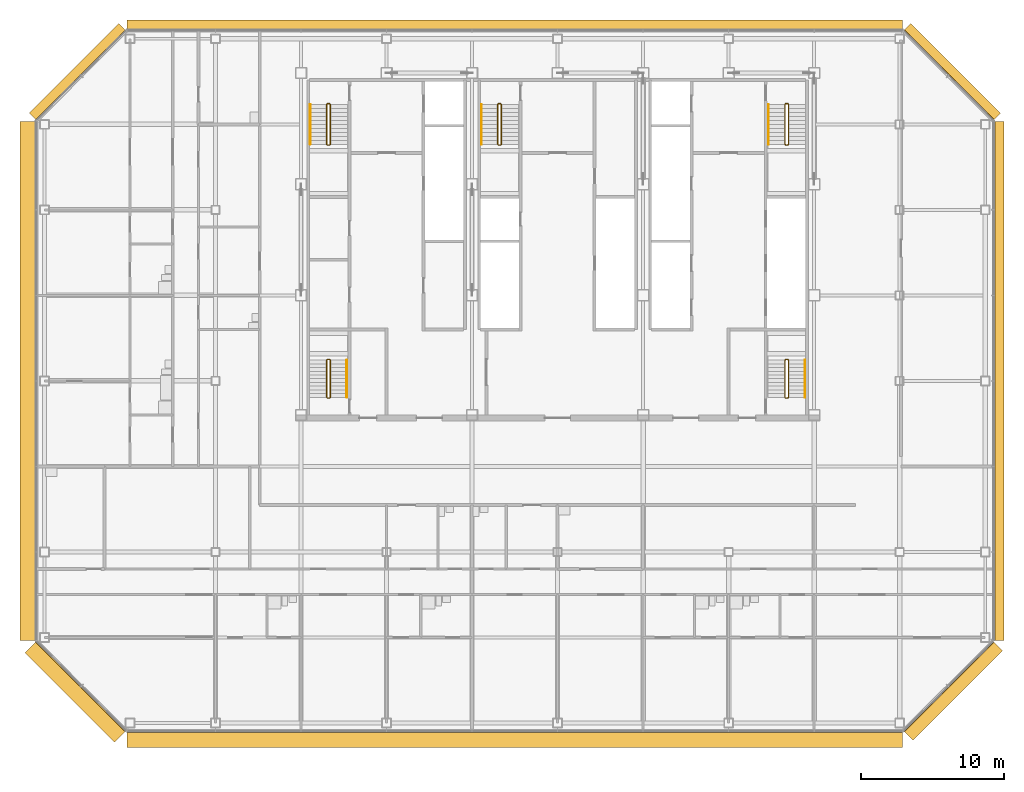
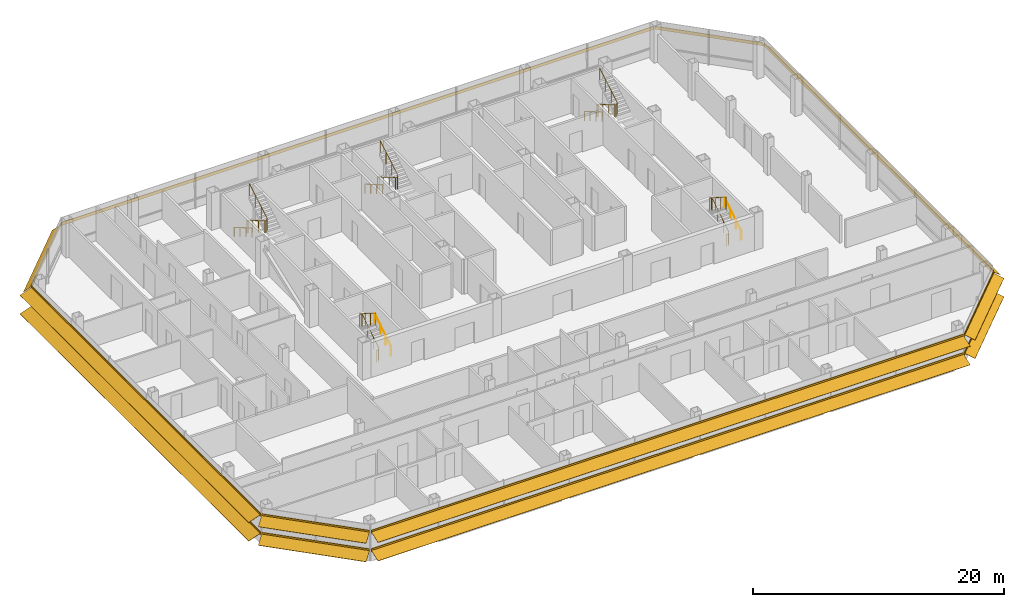
# One storey, part 26 of 27: 10 railings, 8 shading devices.
"""IFC4 building model written with IfcOpenShell, lengths in metres."""

from ifc_helpers import new_model, si_unit, direction, frame, origin, origin_2d, place, context, subcontext, project, spatial, polyline, circle, outline, composite_profile, extrude, material, type_object, element, save


model = new_model("IFC4")

# Units and contexts
model_context = context("Model", 3, precision=1e-05, world=origin(), true_north=direction((0.0, 1.0)))
body_context = subcontext(model_context, "Body", "Model", "MODEL_VIEW")
ifc_project = project(units=[si_unit("LENGTHUNIT", "METRE"), si_unit("AREAUNIT", "SQUARE_METRE"), si_unit("VOLUMEUNIT", "CUBIC_METRE"), si_unit("PLANEANGLEUNIT", "RADIAN"), si_unit("MASSUNIT", "GRAM", prefix="KILO")], contexts=[model_context])

# Site, building, storey
site_placement = place(None, origin())
site = spatial("IfcSite", under=ifc_project, at=site_placement, CompositionType="ELEMENT")
building_placement = place(site_placement, origin())
building = spatial("IfcBuilding", under=site, at=building_placement, Name="Sorahane Residences", CompositionType="ELEMENT")
storey_placement = place(building_placement, frame((0.0, 0.0, 206.39990234375)))
storey = spatial("IfcBuildingStorey", under=building, at=storey_placement, Name="L48", CompositionType="ELEMENT", Elevation=206.39990234375)

# Shading devices
ifc_material_1 = material(Name="Terracotta anodised aluminium", Category="masonry")
shading_device_type_1 = type_object("IfcShadingDeviceType", Name="Louvre sunshade blade E terracotta aluminium 700", PredefinedType="JALOUSIE", material=ifc_material_1)
shading_device_1_placement = place(storey_placement, frame((54.60009765625, 5.801513671875, 2.7001953125), z_axis=(0.0, 1.0, 0.0), x_axis=(-1.0, 0.0, 0.0)))
element("IfcShadingDevice", 1, at=shading_device_1_placement, inside=storey, type_object=shading_device_type_1, Name="Louvre sunshade blade bank E L48 E1", PredefinedType="JALOUSIE", context=body_context, shape_type="SweptSolid", body=[
    extrude(outline(polyline([(-0.719970703125, -0.49365234375), (-0.719970703125, -0.523681640625), (-0.080078125, -0.05859375), (-0.080078125, -0.14990234375), (-0.02001953125, -0.14990234375), (-0.02001953125, -0.014892578125), (-0.02001953125, 0.014892578125), (-0.02001953125, 0.14990234375), (-0.080078125, 0.14990234375), (-0.080078125, -0.028564453125), (-0.719970703125, -0.49365234375)])), origin(), (0.0, 0.0, 1.0), 36.39697265625),
])
ifc_material_2 = material(Name="Terracotta anodised aluminium", Category="masonry")
shading_device_type_2 = type_object("IfcShadingDeviceType", Name="Louvre sunshade blade N terracotta aluminium 700", PredefinedType="JALOUSIE", material=ifc_material_2)
shading_device_2_placement = place(storey_placement, frame((48.198486328125, 48.60009765625, 2.7001953125), z_axis=(-1.0, 0.0, 0.0), x_axis=(0.0, -1.0, 0.0)))
element("IfcShadingDevice", 2, at=shading_device_2_placement, inside=storey, type_object=shading_device_type_2, Name="Louvre sunshade blade bank N L48 N1", PredefinedType="JALOUSIE", context=body_context, shape_type="SweptSolid", body=[
    extrude(outline(polyline([(-0.719970703125, -0.660888671875), (-0.719970703125, -0.69091796875), (-0.080078125, -0.072998046875), (-0.080078125, -0.14990234375), (-0.02001953125, -0.14990234375), (-0.02001953125, -0.014892578125), (-0.02001953125, 0.014892578125), (-0.02001953125, 0.14990234375), (-0.080078125, 0.14990234375), (-0.080078125, -0.04296875), (-0.719970703125, -0.660888671875)])), origin(), (0.0, 0.0, 1.0), 54.39697265625),
])
ifc_material_3 = material(Name="Terracotta anodised aluminium", Category="masonry")
shading_device_type_3 = type_object("IfcShadingDeviceType", Name="Louvre sunshade blade NE terracotta aluminium 700", PredefinedType="JALOUSIE", material=ifc_material_3)
shading_device_3_placement = place(storey_placement, frame((54.564697265625, 42.283935546875, 2.7001953125), z_axis=(-0.707106781187, 0.707106781187, 0.0), x_axis=(-0.707106781187, -0.707106781187, 0.0)))
element("IfcShadingDevice", 3, at=shading_device_3_placement, inside=storey, type_object=shading_device_type_3, Name="Louvre sunshade blade bank NE L48 NE1", PredefinedType="JALOUSIE", context=body_context, shape_type="SweptSolid", body=[
    extrude(outline(polyline([(-0.719970703125, -0.572509765625), (-0.719970703125, -0.602294921875), (-0.080078125, -0.065185546875), (-0.080078125, -0.14990234375), (-0.02001953125, -0.14990234375), (-0.02001953125, -0.014892578125), (-0.02001953125, 0.014892578125), (-0.02001953125, 0.14990234375), (-0.080078125, 0.14990234375), (-0.080078125, -0.035400390625), (-0.719970703125, -0.572509765625)])), origin(), (0.0, 0.0, 1.0), 8.88232421875),
])
ifc_material_4 = material(Name="Terracotta anodised aluminium", Category="masonry")
shading_device_type_4 = type_object("IfcShadingDeviceType", Name="Louvre sunshade blade NW terracotta aluminium 700", PredefinedType="JALOUSIE", material=ifc_material_4)
shading_device_4_placement = place(storey_placement, frame((-6.283935546875, 48.564697265625, 2.7001953125), z_axis=(-0.707106781187, -0.707106781187, 0.0), x_axis=(0.707106781187, -0.707106781187, 0.0)))
element("IfcShadingDevice", 4, at=shading_device_4_placement, inside=storey, type_object=shading_device_type_4, Name="Louvre sunshade blade bank NW L48 NW1", PredefinedType="JALOUSIE", context=body_context, shape_type="SweptSolid", body=[
    extrude(outline(polyline([(-0.719970703125, -0.660888671875), (-0.719970703125, -0.69091796875), (-0.080078125, -0.072998046875), (-0.080078125, -0.14990234375), (-0.02001953125, -0.14990234375), (-0.02001953125, -0.014892578125), (-0.02001953125, 0.014892578125), (-0.02001953125, 0.14990234375), (-0.080078125, 0.14990234375), (-0.080078125, -0.04296875), (-0.719970703125, -0.660888671875)])), origin(), (0.0, 0.0, 1.0), 8.88232421875),
])
ifc_material_5 = material(Name="Terracotta anodised aluminium", Category="masonry")
shading_device_type_5 = type_object("IfcShadingDeviceType", Name="Louvre sunshade blade S terracotta aluminium 1100", PredefinedType="JALOUSIE", material=ifc_material_5)
shading_device_5_placement = place(storey_placement, frame((-6.198486328125, -0.60009765625, 0.900146484375), z_axis=(1.0, 0.0, 0.0), x_axis=(0.0, 1.0, 0.0)))
element("IfcShadingDevice", 5, at=shading_device_5_placement, inside=storey, type_object=shading_device_type_5, Name="Louvre sunshade blade bank S L48 S1", PredefinedType="JALOUSIE", context=body_context, shape_type="SweptSolid", body=[
    extrude(composite_profile([outline(polyline([(-1.1201171875, -0.385498046875), (-1.1201171875, -0.415283203125), (-0.080078125, -0.036865234375), (-0.080078125, -0.14990234375), (-0.02001953125, -0.14990234375), (-0.02001953125, -0.014892578125), (-0.02001953125, 0.014892578125), (-0.02001953125, 0.14990234375), (-0.080078125, 0.14990234375), (-0.080078125, -0.0068359375), (-1.1201171875, -0.385498046875)])), outline(polyline([(-1.1201171875, 1.41455078125), (-1.1201171875, 1.384521484375), (-0.080078125, 1.76318359375), (-0.080078125, 1.64990234375), (-0.02001953125, 1.64990234375), (-0.02001953125, 1.784912109375), (-0.02001953125, 1.81494140625), (-0.02001953125, 1.949951171875), (-0.080078125, 1.949951171875), (-0.080078125, 1.793212890625), (-1.1201171875, 1.41455078125)]))]), origin(), (0.0, 0.0, 1.0), 54.39697265625),
])
ifc_material_6 = material(Name="Terracotta anodised aluminium", Category="masonry")
shading_device_type_6 = type_object("IfcShadingDeviceType", Name="Louvre sunshade blade SE terracotta aluminium 900", PredefinedType="JALOUSIE", material=ifc_material_6)
shading_device_6_placement = place(storey_placement, frame((48.283935546875, -0.564697265625, 0.900146484375), z_axis=(0.707106781187, 0.707106781187, 0.0), x_axis=(-0.707106781187, 0.707106781187, 0.0)))
element("IfcShadingDevice", 6, at=shading_device_6_placement, inside=storey, type_object=shading_device_type_6, Name="Louvre sunshade blade bank SE L48 SE1", PredefinedType="JALOUSIE", context=body_context, shape_type="SweptSolid", body=[
    extrude(composite_profile([outline(polyline([(-0.919921875, -0.3486328125), (-0.919921875, -0.378662109375), (-0.080078125, -0.039306640625), (-0.080078125, -0.14990234375), (-0.02001953125, -0.14990234375), (-0.02001953125, -0.014892578125), (-0.02001953125, 0.014892578125), (-0.02001953125, 0.14990234375), (-0.080078125, 0.14990234375), (-0.080078125, -0.00927734375), (-0.919921875, -0.3486328125)])), outline(polyline([(-0.919921875, 1.451416015625), (-0.919921875, 1.42138671875), (-0.080078125, 1.7607421875), (-0.080078125, 1.64990234375), (-0.02001953125, 1.64990234375), (-0.02001953125, 1.784912109375), (-0.02001953125, 1.81494140625), (-0.02001953125, 1.949951171875), (-0.080078125, 1.949951171875), (-0.080078125, 1.790771484375), (-0.919921875, 1.451416015625)]))]), origin(), (0.0, 0.0, 1.0), 8.88232421875),
])
ifc_material_7 = material(Name="Terracotta anodised aluminium", Category="masonry")
shading_device_type_7 = type_object("IfcShadingDeviceType", Name="Louvre sunshade blade SW terracotta aluminium 1100", PredefinedType="JALOUSIE", material=ifc_material_7)
shading_device_7_placement = place(storey_placement, frame((-12.564697265625, 5.716064453125, 0.900146484375), z_axis=(0.707106781187, -0.707106781187, 0.0), x_axis=(0.707106781187, 0.707106781187, 0.0)))
element("IfcShadingDevice", 7, at=shading_device_7_placement, inside=storey, type_object=shading_device_type_7, Name="Louvre sunshade blade bank SW L48 SW1", PredefinedType="JALOUSIE", context=body_context, shape_type="SweptSolid", body=[
    extrude(composite_profile([outline(polyline([(-1.1201171875, -0.385498046875), (-1.1201171875, -0.415283203125), (-0.080078125, -0.036865234375), (-0.080078125, -0.14990234375), (-0.02001953125, -0.14990234375), (-0.02001953125, -0.014892578125), (-0.02001953125, 0.014892578125), (-0.02001953125, 0.14990234375), (-0.080078125, 0.14990234375), (-0.080078125, -0.0068359375), (-1.1201171875, -0.385498046875)])), outline(polyline([(-1.1201171875, 1.41455078125), (-1.1201171875, 1.384521484375), (-0.080078125, 1.76318359375), (-0.080078125, 1.64990234375), (-0.02001953125, 1.64990234375), (-0.02001953125, 1.784912109375), (-0.02001953125, 1.81494140625), (-0.02001953125, 1.949951171875), (-0.080078125, 1.949951171875), (-0.080078125, 1.793212890625), (-1.1201171875, 1.41455078125)]))]), origin(), (0.0, 0.0, 1.0), 8.88232421875),
])
ifc_material_8 = material(Name="Terracotta anodised aluminium", Category="masonry")
shading_device_type_8 = type_object("IfcShadingDeviceType", Name="Louvre sunshade blade W terracotta aluminium 1100", PredefinedType="JALOUSIE", material=ifc_material_8)
shading_device_8_placement = place(storey_placement, frame((-12.60009765625, 42.198486328125, 0.900146484375), z_axis=(0.0, -1.0, 0.0), x_axis=(1.0, 0.0, 0.0)))
element("IfcShadingDevice", 8, at=shading_device_8_placement, inside=storey, type_object=shading_device_type_8, Name="Louvre sunshade blade bank W L48 W1", PredefinedType="JALOUSIE", context=body_context, shape_type="SweptSolid", body=[
    extrude(composite_profile([outline(polyline([(-1.1201171875, -0.385498046875), (-1.1201171875, -0.415283203125), (-0.080078125, -0.036865234375), (-0.080078125, -0.14990234375), (-0.02001953125, -0.14990234375), (-0.02001953125, -0.014892578125), (-0.02001953125, 0.014892578125), (-0.02001953125, 0.14990234375), (-0.080078125, 0.14990234375), (-0.080078125, -0.0068359375), (-1.1201171875, -0.385498046875)])), outline(polyline([(-1.1201171875, 1.41455078125), (-1.1201171875, 1.384521484375), (-0.080078125, 1.76318359375), (-0.080078125, 1.64990234375), (-0.02001953125, 1.64990234375), (-0.02001953125, 1.784912109375), (-0.02001953125, 1.81494140625), (-0.02001953125, 1.949951171875), (-0.080078125, 1.949951171875), (-0.080078125, 1.793212890625), (-1.1201171875, 1.41455078125)]))]), origin(), (0.0, 0.0, 1.0), 36.39697265625),
])

# Railings
ifc_material_9 = material(Name="Steel Q355B", Category="steel")
railing_type_1 = type_object("IfcRailingType", Name="Stair guard 1200 Steel Q355B", PredefinedType="GUARDRAIL", material=ifc_material_9)
railing_1_placement = place(storey_placement, frame((8.0, 43.449951171875, 0.0)))
element("IfcRailing", 9, at=railing_1_placement, inside=storey, type_object=railing_type_1, Name="L48 S1 stair guard 1", PredefinedType="GUARDRAIL", context=body_context, shape_type="SweptSolid", body=[
    extrude(circle(Radius=0.02392578125, at=origin_2d()), frame((0.0, 0.0, 1.17578125), z_axis=(-1.0, 0.0, 0.0), x_axis=(0.0, -1.0, 0.0)), (0.0, 0.0, 1.0), 0.14990234375),
    extrude(circle(Radius=0.02392578125, at=origin_2d()), frame((-0.14990234375, 0.0, 1.17578125), z_axis=(-0.280456126637, -0.280456126637, 0.917980785237), x_axis=(0.707106781187, -0.707106781187, 0.0)), (0.0, 0.0, 1.0), 0.178466796875),
    extrude(circle(Radius=0.02392578125, at=origin_2d()), frame((-0.199951171875, -0.050048828125, 1.33984375), z_axis=(0.0, -0.863374499697, 0.504563646405), x_axis=(1.0, 0.0, 0.0)), (0.0, 0.0, 1.0), 3.242919921875),
    extrude(circle(Radius=0.02392578125, at=origin_2d()), frame((-0.199951171875, -2.849853515625, 2.97607421875), z_axis=(0.707106781187, -0.707106781187, 0.0), x_axis=(0.707106781187, 0.707106781187, 0.0)), (0.0, 0.0, 1.0), 0.07080078125),
    extrude(circle(Radius=0.02392578125, at=origin_2d()), frame((-0.14990234375, -2.89990234375, 2.97607421875), z_axis=(1.0, 0.0, 0.0), x_axis=(0.0, 1.0, 0.0)), (0.0, 0.0, 1.0), 0.14990234375),
    extrude(circle(Radius=0.02392578125, at=origin_2d()), frame((0.0, -2.89990234375, 2.97607421875), z_axis=(0.280808744504, 0.280808744504, 0.917765164963), x_axis=(-0.707106781187, 0.707106781187, 0.0)), (0.0, 0.0, 1.0), 0.17822265625),
    extrude(circle(Radius=0.02392578125, at=origin_2d()), frame((0.050048828125, -2.849853515625, 3.1396484375), z_axis=(0.0, 0.863341702679, 0.504619762213), x_axis=(-1.0, 0.0, 0.0)), (0.0, 0.0, 1.0), 3.242919921875),
    extrude(circle(Radius=0.02099609375, at=origin_2d()), origin(), (0.0, 0.0, 1.0), 1.15185546875),
    extrude(circle(Radius=0.02099609375, at=origin_2d()), frame((-0.14990234375, 0.0, 0.0)), (0.0, 0.0, 1.0), 1.15185546875),
    extrude(circle(Radius=0.02099609375, at=origin_2d()), frame((-0.199951171875, -0.050048828125, 0.163818359375)), (0.0, 0.0, 1.0), 1.15185546875),
    extrude(circle(Radius=0.02099609375, at=origin_2d()), frame((-0.199951171875, -0.9833984375, 0.709228515625)), (0.0, 0.0, 1.0), 1.15185546875),
    extrude(circle(Radius=0.02099609375, at=origin_2d()), frame((-0.199951171875, -1.91650390625, 1.254638671875)), (0.0, 0.0, 1.0), 1.15185546875),
    extrude(circle(Radius=0.02099609375, at=origin_2d()), frame((-0.199951171875, -2.849853515625, 1.800048828125)), (0.0, 0.0, 1.0), 1.15185546875),
    extrude(circle(Radius=0.02099609375, at=origin_2d()), frame((-0.14990234375, -2.89990234375, 1.800048828125)), (0.0, 0.0, 1.0), 1.15185546875),
    extrude(circle(Radius=0.02099609375, at=origin_2d()), frame((0.0, -2.89990234375, 1.800048828125)), (0.0, 0.0, 1.0), 1.15185546875),
    extrude(circle(Radius=0.02099609375, at=origin_2d()), frame((0.050048828125, -2.849853515625, 1.963623046875)), (0.0, 0.0, 1.0), 1.15185546875),
    extrude(circle(Radius=0.02099609375, at=origin_2d()), frame((0.050048828125, -1.91650390625, 2.509033203125)), (0.0, 0.0, 1.0), 1.15185546875),
    extrude(circle(Radius=0.02099609375, at=origin_2d()), frame((0.050048828125, -0.9833984375, 3.0546875)), (0.0, 0.0, 1.0), 1.15185546875),
    extrude(circle(Radius=0.02099609375, at=origin_2d()), frame((0.050048828125, -0.050048828125, 3.60009765625)), (0.0, 0.0, 1.0), 1.15185546875),
])
railing_2_placement = place(storey_placement, frame((40.14990234375, 43.449951171875, 0.0)))
element("IfcRailing", 10, at=railing_2_placement, inside=storey, type_object=railing_type_1, Name="L48 S2 stair guard 1", PredefinedType="GUARDRAIL", context=body_context, shape_type="SweptSolid", body=[
    extrude(circle(Radius=0.02392578125, at=origin_2d()), frame((0.0, 0.0, 1.17578125), z_axis=(-1.0, 0.0, 0.0), x_axis=(0.0, -1.0, 0.0)), (0.0, 0.0, 1.0), 0.14990234375),
    extrude(circle(Radius=0.02392578125, at=origin_2d()), frame((-0.14990234375, 0.0, 1.17578125), z_axis=(-0.280456126637, -0.280456126637, 0.917980785237), x_axis=(0.707106781187, -0.707106781187, 0.0)), (0.0, 0.0, 1.0), 0.178466796875),
    extrude(circle(Radius=0.02392578125, at=origin_2d()), frame((-0.199951171875, -0.050048828125, 1.33984375), z_axis=(0.0, -0.863374499697, 0.504563646405), x_axis=(1.0, 0.0, 0.0)), (0.0, 0.0, 1.0), 3.242919921875),
    extrude(circle(Radius=0.02392578125, at=origin_2d()), frame((-0.199951171875, -2.849853515625, 2.97607421875), z_axis=(0.707106781187, -0.707106781187, 0.0), x_axis=(0.707106781187, 0.707106781187, 0.0)), (0.0, 0.0, 1.0), 0.07080078125),
    extrude(circle(Radius=0.02392578125, at=origin_2d()), frame((-0.14990234375, -2.89990234375, 2.97607421875), z_axis=(1.0, 0.0, 0.0), x_axis=(0.0, 1.0, 0.0)), (0.0, 0.0, 1.0), 0.14990234375),
    extrude(circle(Radius=0.02392578125, at=origin_2d()), frame((0.0, -2.89990234375, 2.97607421875), z_axis=(0.280808744504, 0.280808744504, 0.917765164963), x_axis=(-0.707106781187, 0.707106781187, 0.0)), (0.0, 0.0, 1.0), 0.17822265625),
    extrude(circle(Radius=0.02392578125, at=origin_2d()), frame((0.050048828125, -2.849853515625, 3.1396484375), z_axis=(0.0, 0.863341702679, 0.504619762213), x_axis=(-1.0, 0.0, 0.0)), (0.0, 0.0, 1.0), 3.242919921875),
    extrude(circle(Radius=0.02099609375, at=origin_2d()), origin(), (0.0, 0.0, 1.0), 1.15185546875),
    extrude(circle(Radius=0.02099609375, at=origin_2d()), frame((-0.14990234375, 0.0, 0.0)), (0.0, 0.0, 1.0), 1.15185546875),
    extrude(circle(Radius=0.02099609375, at=origin_2d()), frame((-0.199951171875, -0.050048828125, 0.163818359375)), (0.0, 0.0, 1.0), 1.15185546875),
    extrude(circle(Radius=0.02099609375, at=origin_2d()), frame((-0.199951171875, -0.9833984375, 0.709228515625)), (0.0, 0.0, 1.0), 1.15185546875),
    extrude(circle(Radius=0.02099609375, at=origin_2d()), frame((-0.199951171875, -1.91650390625, 1.254638671875)), (0.0, 0.0, 1.0), 1.15185546875),
    extrude(circle(Radius=0.02099609375, at=origin_2d()), frame((-0.199951171875, -2.849853515625, 1.800048828125)), (0.0, 0.0, 1.0), 1.15185546875),
    extrude(circle(Radius=0.02099609375, at=origin_2d()), frame((-0.14990234375, -2.89990234375, 1.800048828125)), (0.0, 0.0, 1.0), 1.15185546875),
    extrude(circle(Radius=0.02099609375, at=origin_2d()), frame((0.0, -2.89990234375, 1.800048828125)), (0.0, 0.0, 1.0), 1.15185546875),
    extrude(circle(Radius=0.02099609375, at=origin_2d()), frame((0.050048828125, -2.849853515625, 1.963623046875)), (0.0, 0.0, 1.0), 1.15185546875),
    extrude(circle(Radius=0.02099609375, at=origin_2d()), frame((0.050048828125, -1.91650390625, 2.509033203125)), (0.0, 0.0, 1.0), 1.15185546875),
    extrude(circle(Radius=0.02099609375, at=origin_2d()), frame((0.050048828125, -0.9833984375, 3.0546875)), (0.0, 0.0, 1.0), 1.15185546875),
    extrude(circle(Radius=0.02099609375, at=origin_2d()), frame((0.050048828125, -0.050048828125, 3.60009765625)), (0.0, 0.0, 1.0), 1.15185546875),
])
railing_3_placement = place(storey_placement, frame((20.0, 43.449951171875, 0.0)))
element("IfcRailing", 11, at=railing_3_placement, inside=storey, type_object=railing_type_1, Name="L48 S3 stair guard 1", PredefinedType="GUARDRAIL", context=body_context, shape_type="SweptSolid", body=[
    extrude(circle(Radius=0.02392578125, at=origin_2d()), frame((0.0, 0.0, 1.17578125), z_axis=(-1.0, 0.0, 0.0), x_axis=(0.0, -1.0, 0.0)), (0.0, 0.0, 1.0), 0.14990234375),
    extrude(circle(Radius=0.02392578125, at=origin_2d()), frame((-0.14990234375, 0.0, 1.17578125), z_axis=(-0.280456126637, -0.280456126637, 0.917980785237), x_axis=(0.707106781187, -0.707106781187, 0.0)), (0.0, 0.0, 1.0), 0.178466796875),
    extrude(circle(Radius=0.02392578125, at=origin_2d()), frame((-0.199951171875, -0.050048828125, 1.33984375), z_axis=(0.0, -0.863374499697, 0.504563646405), x_axis=(1.0, 0.0, 0.0)), (0.0, 0.0, 1.0), 3.242919921875),
    extrude(circle(Radius=0.02392578125, at=origin_2d()), frame((-0.199951171875, -2.849853515625, 2.97607421875), z_axis=(0.707106781187, -0.707106781187, 0.0), x_axis=(0.707106781187, 0.707106781187, 0.0)), (0.0, 0.0, 1.0), 0.07080078125),
    extrude(circle(Radius=0.02392578125, at=origin_2d()), frame((-0.14990234375, -2.89990234375, 2.97607421875), z_axis=(1.0, 0.0, 0.0), x_axis=(0.0, 1.0, 0.0)), (0.0, 0.0, 1.0), 0.14990234375),
    extrude(circle(Radius=0.02392578125, at=origin_2d()), frame((0.0, -2.89990234375, 2.97607421875), z_axis=(0.280808744504, 0.280808744504, 0.917765164963), x_axis=(-0.707106781187, 0.707106781187, 0.0)), (0.0, 0.0, 1.0), 0.17822265625),
    extrude(circle(Radius=0.02392578125, at=origin_2d()), frame((0.050048828125, -2.849853515625, 3.1396484375), z_axis=(0.0, 0.863341702679, 0.504619762213), x_axis=(-1.0, 0.0, 0.0)), (0.0, 0.0, 1.0), 3.242919921875),
    extrude(circle(Radius=0.02099609375, at=origin_2d()), origin(), (0.0, 0.0, 1.0), 1.15185546875),
    extrude(circle(Radius=0.02099609375, at=origin_2d()), frame((-0.14990234375, 0.0, 0.0)), (0.0, 0.0, 1.0), 1.15185546875),
    extrude(circle(Radius=0.02099609375, at=origin_2d()), frame((-0.199951171875, -0.050048828125, 0.163818359375)), (0.0, 0.0, 1.0), 1.15185546875),
    extrude(circle(Radius=0.02099609375, at=origin_2d()), frame((-0.199951171875, -0.9833984375, 0.709228515625)), (0.0, 0.0, 1.0), 1.15185546875),
    extrude(circle(Radius=0.02099609375, at=origin_2d()), frame((-0.199951171875, -1.91650390625, 1.254638671875)), (0.0, 0.0, 1.0), 1.15185546875),
    extrude(circle(Radius=0.02099609375, at=origin_2d()), frame((-0.199951171875, -2.849853515625, 1.800048828125)), (0.0, 0.0, 1.0), 1.15185546875),
    extrude(circle(Radius=0.02099609375, at=origin_2d()), frame((-0.14990234375, -2.89990234375, 1.800048828125)), (0.0, 0.0, 1.0), 1.15185546875),
    extrude(circle(Radius=0.02099609375, at=origin_2d()), frame((0.0, -2.89990234375, 1.800048828125)), (0.0, 0.0, 1.0), 1.15185546875),
    extrude(circle(Radius=0.02099609375, at=origin_2d()), frame((0.050048828125, -2.849853515625, 1.963623046875)), (0.0, 0.0, 1.0), 1.15185546875),
    extrude(circle(Radius=0.02099609375, at=origin_2d()), frame((0.050048828125, -1.91650390625, 2.509033203125)), (0.0, 0.0, 1.0), 1.15185546875),
    extrude(circle(Radius=0.02099609375, at=origin_2d()), frame((0.050048828125, -0.9833984375, 3.0546875)), (0.0, 0.0, 1.0), 1.15185546875),
    extrude(circle(Radius=0.02099609375, at=origin_2d()), frame((0.050048828125, -0.050048828125, 3.60009765625)), (0.0, 0.0, 1.0), 1.15185546875),
])
railing_4_placement = place(storey_placement, frame((7.85009765625, 22.800048828125, 0.0)))
element("IfcRailing", 12, at=railing_4_placement, inside=storey, type_object=railing_type_1, Name="L48 S4 stair guard 1", PredefinedType="GUARDRAIL", context=body_context, shape_type="SweptSolid", body=[
    extrude(circle(Radius=0.02392578125, at=origin_2d()), frame((0.0, 0.0, 1.17578125), z_axis=(1.0, 0.0, 0.0), x_axis=(0.0, 1.0, 0.0)), (0.0, 0.0, 1.0), 0.14990234375),
    extrude(circle(Radius=0.02392578125, at=origin_2d()), frame((0.14990234375, 0.0, 1.17578125), z_axis=(0.280456126637, 0.280456126637, 0.917980785237), x_axis=(-0.707106781187, 0.707106781187, 0.0)), (0.0, 0.0, 1.0), 0.178466796875),
    extrude(circle(Radius=0.02392578125, at=origin_2d()), frame((0.199951171875, 0.050048828125, 1.33984375), z_axis=(0.0, 0.846337672412, 0.532646734952), x_axis=(-1.0, 0.0, 0.0)), (0.0, 0.0, 1.0), 3.07177734375),
    extrude(circle(Radius=0.02392578125, at=origin_2d()), frame((0.199951171875, 2.64990234375, 2.97607421875), z_axis=(-0.707106781187, 0.707106781187, 0.0), x_axis=(-0.707106781187, -0.707106781187, 0.0)), (0.0, 0.0, 1.0), 0.07080078125),
    extrude(circle(Radius=0.02392578125, at=origin_2d()), frame((0.14990234375, 2.699951171875, 2.97607421875), z_axis=(-1.0, 0.0, 0.0), x_axis=(0.0, -1.0, 0.0)), (0.0, 0.0, 1.0), 0.14990234375),
    extrude(circle(Radius=0.02392578125, at=origin_2d()), frame((0.0, 2.699951171875, 2.97607421875), z_axis=(-0.280808744504, -0.280808744504, 0.917765164963), x_axis=(0.707106781187, -0.707106781187, 0.0)), (0.0, 0.0, 1.0), 0.17822265625),
    extrude(circle(Radius=0.02392578125, at=origin_2d()), frame((-0.050048828125, 2.64990234375, 3.1396484375), z_axis=(0.0, -0.846301844409, 0.532703658848), x_axis=(1.0, 0.0, 0.0)), (0.0, 0.0, 1.0), 3.072021484375),
    extrude(circle(Radius=0.02099609375, at=origin_2d()), origin(), (0.0, 0.0, 1.0), 1.15185546875),
    extrude(circle(Radius=0.02099609375, at=origin_2d()), frame((0.14990234375, 0.0, 0.0)), (0.0, 0.0, 1.0), 1.15185546875),
    extrude(circle(Radius=0.02099609375, at=origin_2d()), frame((0.199951171875, 0.050048828125, 0.163818359375)), (0.0, 0.0, 1.0), 1.15185546875),
    extrude(circle(Radius=0.02099609375, at=origin_2d()), frame((0.199951171875, 0.916748046875, 0.709228515625)), (0.0, 0.0, 1.0), 1.15185546875),
    extrude(circle(Radius=0.02099609375, at=origin_2d()), frame((0.199951171875, 1.783203125, 1.254638671875)), (0.0, 0.0, 1.0), 1.15185546875),
    extrude(circle(Radius=0.02099609375, at=origin_2d()), frame((0.199951171875, 2.64990234375, 1.800048828125)), (0.0, 0.0, 1.0), 1.15185546875),
    extrude(circle(Radius=0.02099609375, at=origin_2d()), frame((0.14990234375, 2.699951171875, 1.800048828125)), (0.0, 0.0, 1.0), 1.15185546875),
    extrude(circle(Radius=0.02099609375, at=origin_2d()), frame((0.0, 2.699951171875, 1.800048828125)), (0.0, 0.0, 1.0), 1.15185546875),
    extrude(circle(Radius=0.02099609375, at=origin_2d()), frame((-0.050048828125, 2.64990234375, 1.963623046875)), (0.0, 0.0, 1.0), 1.15185546875),
    extrude(circle(Radius=0.02099609375, at=origin_2d()), frame((-0.050048828125, 1.783203125, 2.509033203125)), (0.0, 0.0, 1.0), 1.15185546875),
    extrude(circle(Radius=0.02099609375, at=origin_2d()), frame((-0.050048828125, 0.916748046875, 3.0546875)), (0.0, 0.0, 1.0), 1.15185546875),
    extrude(circle(Radius=0.02099609375, at=origin_2d()), frame((-0.050048828125, 0.050048828125, 3.60009765625)), (0.0, 0.0, 1.0), 1.15185546875),
])
railing_5_placement = place(storey_placement, frame((40.0, 22.800048828125, 0.0)))
element("IfcRailing", 13, at=railing_5_placement, inside=storey, type_object=railing_type_1, Name="L48 S5 stair guard 1", PredefinedType="GUARDRAIL", context=body_context, shape_type="SweptSolid", body=[
    extrude(circle(Radius=0.02392578125, at=origin_2d()), frame((0.0, 0.0, 1.17578125), z_axis=(1.0, 0.0, 0.0), x_axis=(0.0, 1.0, 0.0)), (0.0, 0.0, 1.0), 0.14990234375),
    extrude(circle(Radius=0.02392578125, at=origin_2d()), frame((0.14990234375, 0.0, 1.17578125), z_axis=(0.280456126637, 0.280456126637, 0.917980785237), x_axis=(-0.707106781187, 0.707106781187, 0.0)), (0.0, 0.0, 1.0), 0.178466796875),
    extrude(circle(Radius=0.02392578125, at=origin_2d()), frame((0.199951171875, 0.050048828125, 1.33984375), z_axis=(0.0, 0.846337672412, 0.532646734952), x_axis=(-1.0, 0.0, 0.0)), (0.0, 0.0, 1.0), 3.07177734375),
    extrude(circle(Radius=0.02392578125, at=origin_2d()), frame((0.199951171875, 2.64990234375, 2.97607421875), z_axis=(-0.707106781187, 0.707106781187, 0.0), x_axis=(-0.707106781187, -0.707106781187, 0.0)), (0.0, 0.0, 1.0), 0.07080078125),
    extrude(circle(Radius=0.02392578125, at=origin_2d()), frame((0.14990234375, 2.699951171875, 2.97607421875), z_axis=(-1.0, 0.0, 0.0), x_axis=(0.0, -1.0, 0.0)), (0.0, 0.0, 1.0), 0.14990234375),
    extrude(circle(Radius=0.02392578125, at=origin_2d()), frame((0.0, 2.699951171875, 2.97607421875), z_axis=(-0.280808744504, -0.280808744504, 0.917765164963), x_axis=(0.707106781187, -0.707106781187, 0.0)), (0.0, 0.0, 1.0), 0.17822265625),
    extrude(circle(Radius=0.02392578125, at=origin_2d()), frame((-0.050048828125, 2.64990234375, 3.1396484375), z_axis=(0.0, -0.846301844409, 0.532703658848), x_axis=(1.0, 0.0, 0.0)), (0.0, 0.0, 1.0), 3.072021484375),
    extrude(circle(Radius=0.02099609375, at=origin_2d()), origin(), (0.0, 0.0, 1.0), 1.15185546875),
    extrude(circle(Radius=0.02099609375, at=origin_2d()), frame((0.14990234375, 0.0, 0.0)), (0.0, 0.0, 1.0), 1.15185546875),
    extrude(circle(Radius=0.02099609375, at=origin_2d()), frame((0.199951171875, 0.050048828125, 0.163818359375)), (0.0, 0.0, 1.0), 1.15185546875),
    extrude(circle(Radius=0.02099609375, at=origin_2d()), frame((0.199951171875, 0.916748046875, 0.709228515625)), (0.0, 0.0, 1.0), 1.15185546875),
    extrude(circle(Radius=0.02099609375, at=origin_2d()), frame((0.199951171875, 1.783203125, 1.254638671875)), (0.0, 0.0, 1.0), 1.15185546875),
    extrude(circle(Radius=0.02099609375, at=origin_2d()), frame((0.199951171875, 2.64990234375, 1.800048828125)), (0.0, 0.0, 1.0), 1.15185546875),
    extrude(circle(Radius=0.02099609375, at=origin_2d()), frame((0.14990234375, 2.699951171875, 1.800048828125)), (0.0, 0.0, 1.0), 1.15185546875),
    extrude(circle(Radius=0.02099609375, at=origin_2d()), frame((0.0, 2.699951171875, 1.800048828125)), (0.0, 0.0, 1.0), 1.15185546875),
    extrude(circle(Radius=0.02099609375, at=origin_2d()), frame((-0.050048828125, 2.64990234375, 1.963623046875)), (0.0, 0.0, 1.0), 1.15185546875),
    extrude(circle(Radius=0.02099609375, at=origin_2d()), frame((-0.050048828125, 1.783203125, 2.509033203125)), (0.0, 0.0, 1.0), 1.15185546875),
    extrude(circle(Radius=0.02099609375, at=origin_2d()), frame((-0.050048828125, 0.916748046875, 3.0546875)), (0.0, 0.0, 1.0), 1.15185546875),
    extrude(circle(Radius=0.02099609375, at=origin_2d()), frame((-0.050048828125, 0.050048828125, 3.60009765625)), (0.0, 0.0, 1.0), 1.15185546875),
])
ifc_material_10 = material(Name="Steel Q355B", Category="steel")
railing_type_2 = type_object("IfcRailingType", Name="Stair handrail 900 Steel Q355B", PredefinedType="HANDRAIL", material=ifc_material_10)
for number, where, name in (
    (14, (6.64990234375, 43.39990234375, 0.163818359375), "L48 S1 stair handrail 1"),
    (15, (38.800048828125, 43.39990234375, 0.163818359375), "L48 S2 stair handrail 1"),
    (16, (18.64990234375, 43.39990234375, 0.163818359375), "L48 S3 stair handrail 1"),
):
    element("IfcRailing", number, at=place(storey_placement, frame(where)), inside=storey, type_object=railing_type_2, Name=name, PredefinedType="HANDRAIL", context=body_context, shape_type="SweptSolid", body=[
        extrude(circle(Radius=0.02392578125, at=origin_2d()), frame((0.0, 0.0, 0.8759765625), z_axis=(0.0, -0.863374499697, 0.504563646405), x_axis=(1.0, 0.0, 0.0)), (0.0, 0.0, 1.0), 3.242919921875),
        extrude(circle(Radius=0.02099609375, at=origin_2d()), origin(), (0.0, 0.0, 1.0), 0.851806640625),
        extrude(circle(Radius=0.02099609375, at=origin_2d()), frame((0.0, -0.933349609375, 0.54541015625)), (0.0, 0.0, 1.0), 0.851806640625),
        extrude(circle(Radius=0.02099609375, at=origin_2d()), frame((0.0, -1.866455078125, 1.0908203125)), (0.0, 0.0, 1.0), 0.851806640625),
        extrude(circle(Radius=0.02099609375, at=origin_2d()), frame((0.0, -2.7998046875, 1.63623046875)), (0.0, 0.0, 1.0), 0.851806640625),
    ])
for number, where, name in (
    (17, (9.199951171875, 22.85009765625, 0.163818359375), "L48 S4 stair handrail 1"),
    (18, (41.35009765625, 22.85009765625, 0.163818359375), "L48 S5 stair handrail 1"),
):
    element("IfcRailing", number, at=place(storey_placement, frame(where)), inside=storey, type_object=railing_type_2, Name=name, PredefinedType="HANDRAIL", context=body_context, shape_type="SweptSolid", body=[
        extrude(circle(Radius=0.02392578125, at=origin_2d()), frame((0.0, 0.0, 0.8759765625), z_axis=(0.0, 0.846337672412, 0.532646734952), x_axis=(-1.0, 0.0, 0.0)), (0.0, 0.0, 1.0), 3.07177734375),
        extrude(circle(Radius=0.02099609375, at=origin_2d()), origin(), (0.0, 0.0, 1.0), 0.851806640625),
        extrude(circle(Radius=0.02099609375, at=origin_2d()), frame((0.0, 0.86669921875, 0.54541015625)), (0.0, 0.0, 1.0), 0.851806640625),
        extrude(circle(Radius=0.02099609375, at=origin_2d()), frame((0.0, 1.733154296875, 1.0908203125)), (0.0, 0.0, 1.0), 0.851806640625),
        extrude(circle(Radius=0.02099609375, at=origin_2d()), frame((0.0, 2.599853515625, 1.63623046875)), (0.0, 0.0, 1.0), 0.851806640625),
    ])

save(model, "model.ifc")
